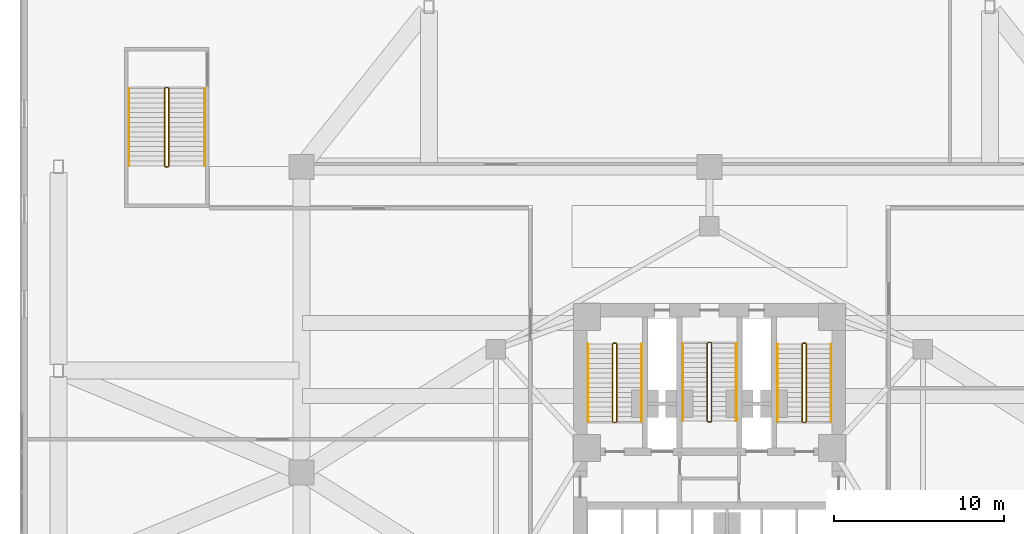
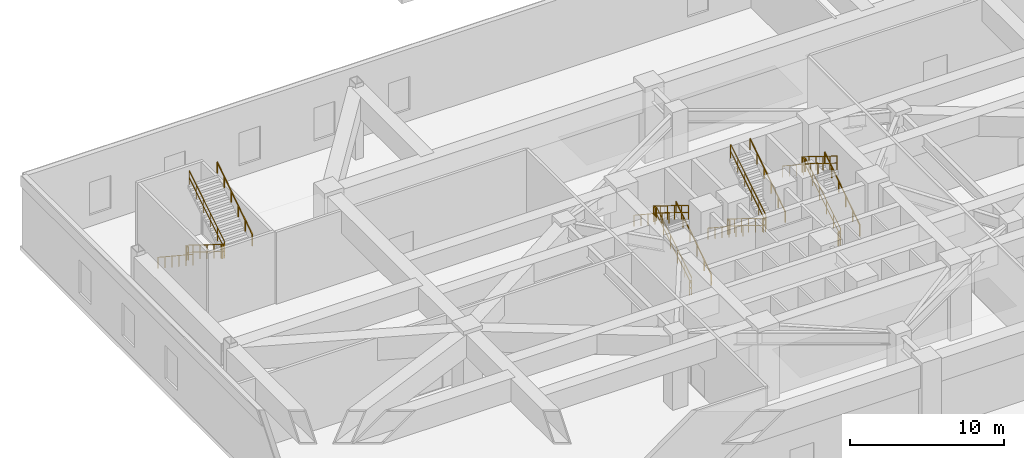
# One storey, part 20 of 24: 24 railings.
"""IFC4 building model written with IfcOpenShell, lengths in metres."""

from ifc_helpers import new_model, si_unit, direction, frame, origin, origin_2d, place, context, subcontext, project, spatial, rectangle, extrude, material, type_object, element, save


model = new_model("IFC4")

# Units and contexts
model_context = context("Model", 3, precision=1e-05, world=origin(), true_north=direction((0.0, 1.0)))
body_context = subcontext(model_context, "Body", "Model", "MODEL_VIEW")
ifc_project = project(units=[si_unit("LENGTHUNIT", "METRE"), si_unit("AREAUNIT", "SQUARE_METRE"), si_unit("VOLUMEUNIT", "CUBIC_METRE"), si_unit("PLANEANGLEUNIT", "RADIAN"), si_unit("MASSUNIT", "GRAM", prefix="KILO")], contexts=[model_context])

# Site, building, storey
site_placement = place(None, origin())
site = spatial("IfcSite", under=ifc_project, at=site_placement, CompositionType="ELEMENT")
building_placement = place(site_placement, origin())
building = spatial("IfcBuilding", under=site, at=building_placement, Name="Apsidion Concourse Tower", CompositionType="ELEMENT")
storey_placement = place(building_placement, frame((0.0, 0.0, 17.5)))
storey = spatial("IfcBuildingStorey", under=building, at=storey_placement, Name="L03", CompositionType="ELEMENT", Elevation=17.5)

# Railings
ifc_material = material(Name="Brushed stainless steel 316", Category="steel")
railing_type_1 = type_object("IfcRailingType", Name="RL-GUARD-1100", PredefinedType="GUARDRAIL", material=ifc_material)
railing_1_placement = place(storey_placement, frame((-5.449951171875, 3.0, 0.176513671875)))
element("IfcRailing", 1, at=railing_1_placement, inside=storey, type_object=railing_type_1, Name="L03 ST1 stair guard 1", PredefinedType="GUARDRAIL", context=body_context, shape_type="SweptSolid", body=[
    extrude(rectangle(XDim=0.048095703125, YDim=0.048095703125, at=origin_2d()), frame((0.0, 0.0, 1.09619140625), z_axis=(0.0, 0.850215668316, 0.526434532824), x_axis=(-1.0, 0.0, 0.0)), (0.0, 0.0, 1.0), 5.363525390625),
    extrude(rectangle(XDim=0.048095703125, YDim=0.048095703125, at=origin_2d()), frame((0.0, 0.0, 0.5361328125), z_axis=(0.0, 0.850215668316, 0.526434532824), x_axis=(-1.0, 0.0, 0.0)), (0.0, 0.0, 1.0), 5.363525390625),
    extrude(rectangle(XDim=0.0419921875, YDim=0.0419921875, at=origin_2d()), origin(), (0.0, 0.0, 1.0), 1.072021484375),
    extrude(rectangle(XDim=0.0419921875, YDim=0.0419921875, at=origin_2d()), frame((0.0, 0.912109375, 0.564697265625)), (0.0, 0.0, 1.0), 1.072021484375),
    extrude(rectangle(XDim=0.0419921875, YDim=0.0419921875, at=origin_2d()), frame((0.0, 1.823974609375, 1.12939453125)), (0.0, 0.0, 1.0), 1.072021484375),
    extrude(rectangle(XDim=0.0419921875, YDim=0.0419921875, at=origin_2d()), frame((0.0, 2.736083984375, 1.694091796875)), (0.0, 0.0, 1.0), 1.072021484375),
    extrude(rectangle(XDim=0.0419921875, YDim=0.0419921875, at=origin_2d()), frame((0.0, 3.64794921875, 2.2587890625)), (0.0, 0.0, 1.0), 1.072021484375),
    extrude(rectangle(XDim=0.0419921875, YDim=0.0419921875, at=origin_2d()), frame((0.0, 4.56005859375, 2.823486328125)), (0.0, 0.0, 1.0), 1.072021484375),
])
railing_2_placement = place(storey_placement, frame((-5.5, 7.610107421875, 3.0)))
element("IfcRailing", 2, at=railing_2_placement, inside=storey, type_object=railing_type_1, Name="L03 ST1 stair guard 2", PredefinedType="GUARDRAIL", context=body_context, shape_type="SweptSolid", body=[
    extrude(rectangle(XDim=0.048095703125, YDim=0.048095703125, at=origin_2d()), frame((0.0, 0.0, 1.09619140625), z_axis=(-1.0, 0.0, 0.0), x_axis=(0.0, -1.0, 0.0)), (0.0, 0.0, 1.0), 0.14990234375),
    extrude(rectangle(XDim=0.048095703125, YDim=0.048095703125, at=origin_2d()), frame((0.0, 0.0, 0.5361328125), z_axis=(-1.0, 0.0, 0.0), x_axis=(0.0, -1.0, 0.0)), (0.0, 0.0, 1.0), 0.14990234375),
    extrude(rectangle(XDim=0.0419921875, YDim=0.0419921875, at=origin_2d()), origin(), (0.0, 0.0, 1.0), 1.072021484375),
    extrude(rectangle(XDim=0.0419921875, YDim=0.0419921875, at=origin_2d()), frame((-0.14990234375, 0.0, 0.0)), (0.0, 0.0, 1.0), 1.072021484375),
])
railing_3_placement = place(storey_placement, frame((-5.699951171875, 7.56005859375, 3.176513671875)))
element("IfcRailing", 3, at=railing_3_placement, inside=storey, type_object=railing_type_1, Name="L03 ST1 stair guard 3", PredefinedType="GUARDRAIL", context=body_context, shape_type="SweptSolid", body=[
    extrude(rectangle(XDim=0.048095703125, YDim=0.048095703125, at=origin_2d()), frame((0.0, 0.0, 1.09619140625), z_axis=(0.0, -0.850215668316, 0.526434532824), x_axis=(1.0, 0.0, 0.0)), (0.0, 0.0, 1.0), 5.363525390625),
    extrude(rectangle(XDim=0.048095703125, YDim=0.048095703125, at=origin_2d()), frame((0.0, 0.0, 0.5361328125), z_axis=(0.0, -0.850215668316, 0.526434532824), x_axis=(1.0, 0.0, 0.0)), (0.0, 0.0, 1.0), 5.363525390625),
    extrude(rectangle(XDim=0.0419921875, YDim=0.0419921875, at=origin_2d()), origin(), (0.0, 0.0, 1.0), 1.072021484375),
    extrude(rectangle(XDim=0.0419921875, YDim=0.0419921875, at=origin_2d()), frame((0.0, -0.912109375, 0.564697265625)), (0.0, 0.0, 1.0), 1.072021484375),
    extrude(rectangle(XDim=0.0419921875, YDim=0.0419921875, at=origin_2d()), frame((0.0, -1.823974609375, 1.12939453125)), (0.0, 0.0, 1.0), 1.072021484375),
    extrude(rectangle(XDim=0.0419921875, YDim=0.0419921875, at=origin_2d()), frame((0.0, -2.736083984375, 1.694091796875)), (0.0, 0.0, 1.0), 1.072021484375),
    extrude(rectangle(XDim=0.0419921875, YDim=0.0419921875, at=origin_2d()), frame((0.0, -3.64794921875, 2.2587890625)), (0.0, 0.0, 1.0), 1.072021484375),
    extrude(rectangle(XDim=0.0419921875, YDim=0.0419921875, at=origin_2d()), frame((0.0, -4.56005859375, 2.823486328125)), (0.0, 0.0, 1.0), 1.072021484375),
])
railing_4_placement = place(storey_placement, frame((-5.5, 2.949951171875, 0.0)))
element("IfcRailing", 4, at=railing_4_placement, inside=storey, type_object=railing_type_1, Name="L03 ST1 stair guard 4", PredefinedType="GUARDRAIL", context=body_context, shape_type="SweptSolid", body=[
    extrude(rectangle(XDim=0.048095703125, YDim=0.048095703125, at=origin_2d()), frame((0.0, 0.0, 1.09619140625), z_axis=(-1.0, 0.0, 0.0), x_axis=(0.0, -1.0, 0.0)), (0.0, 0.0, 1.0), 0.14990234375),
    extrude(rectangle(XDim=0.048095703125, YDim=0.048095703125, at=origin_2d()), frame((0.0, 0.0, 0.5361328125), z_axis=(-1.0, 0.0, 0.0), x_axis=(0.0, -1.0, 0.0)), (0.0, 0.0, 1.0), 0.14990234375),
    extrude(rectangle(XDim=0.0419921875, YDim=0.0419921875, at=origin_2d()), origin(), (0.0, 0.0, 1.0), 1.072021484375),
    extrude(rectangle(XDim=0.0419921875, YDim=0.0419921875, at=origin_2d()), frame((-0.14990234375, 0.0, 0.0)), (0.0, 0.0, 1.0), 1.072021484375),
])
railing_5_placement = place(storey_placement, frame((5.699951171875, 3.0, 0.176513671875)))
element("IfcRailing", 5, at=railing_5_placement, inside=storey, type_object=railing_type_1, Name="L03 ST2 stair guard 1", PredefinedType="GUARDRAIL", context=body_context, shape_type="SweptSolid", body=[
    extrude(rectangle(XDim=0.048095703125, YDim=0.048095703125, at=origin_2d()), frame((0.0, 0.0, 1.09619140625), z_axis=(0.0, 0.850215668316, 0.526434532824), x_axis=(-1.0, 0.0, 0.0)), (0.0, 0.0, 1.0), 5.363525390625),
    extrude(rectangle(XDim=0.048095703125, YDim=0.048095703125, at=origin_2d()), frame((0.0, 0.0, 0.5361328125), z_axis=(0.0, 0.850215668316, 0.526434532824), x_axis=(-1.0, 0.0, 0.0)), (0.0, 0.0, 1.0), 5.363525390625),
    extrude(rectangle(XDim=0.0419921875, YDim=0.0419921875, at=origin_2d()), origin(), (0.0, 0.0, 1.0), 1.072021484375),
    extrude(rectangle(XDim=0.0419921875, YDim=0.0419921875, at=origin_2d()), frame((0.0, 0.912109375, 0.564697265625)), (0.0, 0.0, 1.0), 1.072021484375),
    extrude(rectangle(XDim=0.0419921875, YDim=0.0419921875, at=origin_2d()), frame((0.0, 1.823974609375, 1.12939453125)), (0.0, 0.0, 1.0), 1.072021484375),
    extrude(rectangle(XDim=0.0419921875, YDim=0.0419921875, at=origin_2d()), frame((0.0, 2.736083984375, 1.694091796875)), (0.0, 0.0, 1.0), 1.072021484375),
    extrude(rectangle(XDim=0.0419921875, YDim=0.0419921875, at=origin_2d()), frame((0.0, 3.64794921875, 2.2587890625)), (0.0, 0.0, 1.0), 1.072021484375),
    extrude(rectangle(XDim=0.0419921875, YDim=0.0419921875, at=origin_2d()), frame((0.0, 4.56005859375, 2.823486328125)), (0.0, 0.0, 1.0), 1.072021484375),
])
railing_6_placement = place(storey_placement, frame((5.64990234375, 7.610107421875, 3.0)))
element("IfcRailing", 6, at=railing_6_placement, inside=storey, type_object=railing_type_1, Name="L03 ST2 stair guard 2", PredefinedType="GUARDRAIL", context=body_context, shape_type="SweptSolid", body=[
    extrude(rectangle(XDim=0.048095703125, YDim=0.048095703125, at=origin_2d()), frame((0.0, 0.0, 1.09619140625), z_axis=(-1.0, 0.0, 0.0), x_axis=(0.0, -1.0, 0.0)), (0.0, 0.0, 1.0), 0.14990234375),
    extrude(rectangle(XDim=0.048095703125, YDim=0.048095703125, at=origin_2d()), frame((0.0, 0.0, 0.5361328125), z_axis=(-1.0, 0.0, 0.0), x_axis=(0.0, -1.0, 0.0)), (0.0, 0.0, 1.0), 0.14990234375),
    extrude(rectangle(XDim=0.0419921875, YDim=0.0419921875, at=origin_2d()), origin(), (0.0, 0.0, 1.0), 1.072021484375),
    extrude(rectangle(XDim=0.0419921875, YDim=0.0419921875, at=origin_2d()), frame((-0.14990234375, 0.0, 0.0)), (0.0, 0.0, 1.0), 1.072021484375),
])
railing_7_placement = place(storey_placement, frame((5.449951171875, 7.56005859375, 3.176513671875)))
element("IfcRailing", 7, at=railing_7_placement, inside=storey, type_object=railing_type_1, Name="L03 ST2 stair guard 3", PredefinedType="GUARDRAIL", context=body_context, shape_type="SweptSolid", body=[
    extrude(rectangle(XDim=0.048095703125, YDim=0.048095703125, at=origin_2d()), frame((0.0, 0.0, 1.09619140625), z_axis=(0.0, -0.850215668316, 0.526434532824), x_axis=(1.0, 0.0, 0.0)), (0.0, 0.0, 1.0), 5.363525390625),
    extrude(rectangle(XDim=0.048095703125, YDim=0.048095703125, at=origin_2d()), frame((0.0, 0.0, 0.5361328125), z_axis=(0.0, -0.850215668316, 0.526434532824), x_axis=(1.0, 0.0, 0.0)), (0.0, 0.0, 1.0), 5.363525390625),
    extrude(rectangle(XDim=0.0419921875, YDim=0.0419921875, at=origin_2d()), origin(), (0.0, 0.0, 1.0), 1.072021484375),
    extrude(rectangle(XDim=0.0419921875, YDim=0.0419921875, at=origin_2d()), frame((0.0, -0.912109375, 0.564697265625)), (0.0, 0.0, 1.0), 1.072021484375),
    extrude(rectangle(XDim=0.0419921875, YDim=0.0419921875, at=origin_2d()), frame((0.0, -1.823974609375, 1.12939453125)), (0.0, 0.0, 1.0), 1.072021484375),
    extrude(rectangle(XDim=0.0419921875, YDim=0.0419921875, at=origin_2d()), frame((0.0, -2.736083984375, 1.694091796875)), (0.0, 0.0, 1.0), 1.072021484375),
    extrude(rectangle(XDim=0.0419921875, YDim=0.0419921875, at=origin_2d()), frame((0.0, -3.64794921875, 2.2587890625)), (0.0, 0.0, 1.0), 1.072021484375),
    extrude(rectangle(XDim=0.0419921875, YDim=0.0419921875, at=origin_2d()), frame((0.0, -4.56005859375, 2.823486328125)), (0.0, 0.0, 1.0), 1.072021484375),
])
railing_8_placement = place(storey_placement, frame((5.64990234375, 2.949951171875, 0.0)))
element("IfcRailing", 8, at=railing_8_placement, inside=storey, type_object=railing_type_1, Name="L03 ST2 stair guard 4", PredefinedType="GUARDRAIL", context=body_context, shape_type="SweptSolid", body=[
    extrude(rectangle(XDim=0.048095703125, YDim=0.048095703125, at=origin_2d()), frame((0.0, 0.0, 1.09619140625), z_axis=(-1.0, 0.0, 0.0), x_axis=(0.0, -1.0, 0.0)), (0.0, 0.0, 1.0), 0.14990234375),
    extrude(rectangle(XDim=0.048095703125, YDim=0.048095703125, at=origin_2d()), frame((0.0, 0.0, 0.5361328125), z_axis=(-1.0, 0.0, 0.0), x_axis=(0.0, -1.0, 0.0)), (0.0, 0.0, 1.0), 0.14990234375),
    extrude(rectangle(XDim=0.0419921875, YDim=0.0419921875, at=origin_2d()), origin(), (0.0, 0.0, 1.0), 1.072021484375),
    extrude(rectangle(XDim=0.0419921875, YDim=0.0419921875, at=origin_2d()), frame((-0.14990234375, 0.0, 0.0)), (0.0, 0.0, 1.0), 1.072021484375),
])
railing_9_placement = place(storey_placement, frame((-0.125, 7.60009765625, 0.176513671875)))
element("IfcRailing", 9, at=railing_9_placement, inside=storey, type_object=railing_type_1, Name="L03 ST3 stair guard 1", PredefinedType="GUARDRAIL", context=body_context, shape_type="SweptSolid", body=[
    extrude(rectangle(XDim=0.048095703125, YDim=0.048095703125, at=origin_2d()), frame((0.0, 0.0, 1.09619140625), z_axis=(0.0, -0.850215668316, 0.526434532824), x_axis=(1.0, 0.0, 0.0)), (0.0, 0.0, 1.0), 5.363525390625),
    extrude(rectangle(XDim=0.048095703125, YDim=0.048095703125, at=origin_2d()), frame((0.0, 0.0, 0.5361328125), z_axis=(0.0, -0.850215668316, 0.526434532824), x_axis=(1.0, 0.0, 0.0)), (0.0, 0.0, 1.0), 5.363525390625),
    extrude(rectangle(XDim=0.0419921875, YDim=0.0419921875, at=origin_2d()), origin(), (0.0, 0.0, 1.0), 1.072021484375),
    extrude(rectangle(XDim=0.0419921875, YDim=0.0419921875, at=origin_2d()), frame((0.0, -0.912109375, 0.564697265625)), (0.0, 0.0, 1.0), 1.072021484375),
    extrude(rectangle(XDim=0.0419921875, YDim=0.0419921875, at=origin_2d()), frame((0.0, -1.823974609375, 1.12939453125)), (0.0, 0.0, 1.0), 1.072021484375),
    extrude(rectangle(XDim=0.0419921875, YDim=0.0419921875, at=origin_2d()), frame((0.0, -2.736083984375, 1.694091796875)), (0.0, 0.0, 1.0), 1.072021484375),
    extrude(rectangle(XDim=0.0419921875, YDim=0.0419921875, at=origin_2d()), frame((0.0, -3.64794921875, 2.2587890625)), (0.0, 0.0, 1.0), 1.072021484375),
    extrude(rectangle(XDim=0.0419921875, YDim=0.0419921875, at=origin_2d()), frame((0.0, -4.56005859375, 2.823486328125)), (0.0, 0.0, 1.0), 1.072021484375),
])
railing_10_placement = place(storey_placement, frame((-0.074951171875, 2.989990234375, 3.0)))
element("IfcRailing", 10, at=railing_10_placement, inside=storey, type_object=railing_type_1, Name="L03 ST3 stair guard 2", PredefinedType="GUARDRAIL", context=body_context, shape_type="SweptSolid", body=[
    extrude(rectangle(XDim=0.048095703125, YDim=0.048095703125, at=origin_2d()), frame((0.0, 0.0, 1.09619140625), z_axis=(1.0, 0.0, 0.0), x_axis=(0.0, 1.0, 0.0)), (0.0, 0.0, 1.0), 0.14990234375),
    extrude(rectangle(XDim=0.048095703125, YDim=0.048095703125, at=origin_2d()), frame((0.0, 0.0, 0.5361328125), z_axis=(1.0, 0.0, 0.0), x_axis=(0.0, 1.0, 0.0)), (0.0, 0.0, 1.0), 0.14990234375),
    extrude(rectangle(XDim=0.0419921875, YDim=0.0419921875, at=origin_2d()), origin(), (0.0, 0.0, 1.0), 1.072021484375),
    extrude(rectangle(XDim=0.0419921875, YDim=0.0419921875, at=origin_2d()), frame((0.14990234375, 0.0, 0.0)), (0.0, 0.0, 1.0), 1.072021484375),
])
railing_11_placement = place(storey_placement, frame((0.125, 3.0400390625, 3.176513671875)))
element("IfcRailing", 11, at=railing_11_placement, inside=storey, type_object=railing_type_1, Name="L03 ST3 stair guard 3", PredefinedType="GUARDRAIL", context=body_context, shape_type="SweptSolid", body=[
    extrude(rectangle(XDim=0.048095703125, YDim=0.048095703125, at=origin_2d()), frame((0.0, 0.0, 1.09619140625), z_axis=(0.0, 0.850215668316, 0.526434532824), x_axis=(-1.0, 0.0, 0.0)), (0.0, 0.0, 1.0), 5.363525390625),
    extrude(rectangle(XDim=0.048095703125, YDim=0.048095703125, at=origin_2d()), frame((0.0, 0.0, 0.5361328125), z_axis=(0.0, 0.850215668316, 0.526434532824), x_axis=(-1.0, 0.0, 0.0)), (0.0, 0.0, 1.0), 5.363525390625),
    extrude(rectangle(XDim=0.0419921875, YDim=0.0419921875, at=origin_2d()), origin(), (0.0, 0.0, 1.0), 1.072021484375),
    extrude(rectangle(XDim=0.0419921875, YDim=0.0419921875, at=origin_2d()), frame((0.0, 0.912109375, 0.564697265625)), (0.0, 0.0, 1.0), 1.072021484375),
    extrude(rectangle(XDim=0.0419921875, YDim=0.0419921875, at=origin_2d()), frame((0.0, 1.823974609375, 1.12939453125)), (0.0, 0.0, 1.0), 1.072021484375),
    extrude(rectangle(XDim=0.0419921875, YDim=0.0419921875, at=origin_2d()), frame((0.0, 2.736083984375, 1.694091796875)), (0.0, 0.0, 1.0), 1.072021484375),
    extrude(rectangle(XDim=0.0419921875, YDim=0.0419921875, at=origin_2d()), frame((0.0, 3.64794921875, 2.2587890625)), (0.0, 0.0, 1.0), 1.072021484375),
    extrude(rectangle(XDim=0.0419921875, YDim=0.0419921875, at=origin_2d()), frame((0.0, 4.56005859375, 2.823486328125)), (0.0, 0.0, 1.0), 1.072021484375),
])
railing_12_placement = place(storey_placement, frame((-0.074951171875, 7.64990234375, 0.0)))
element("IfcRailing", 12, at=railing_12_placement, inside=storey, type_object=railing_type_1, Name="L03 ST3 stair guard 4", PredefinedType="GUARDRAIL", context=body_context, shape_type="SweptSolid", body=[
    extrude(rectangle(XDim=0.048095703125, YDim=0.048095703125, at=origin_2d()), frame((0.0, 0.0, 1.09619140625), z_axis=(1.0, 0.0, 0.0), x_axis=(0.0, 1.0, 0.0)), (0.0, 0.0, 1.0), 0.14990234375),
    extrude(rectangle(XDim=0.048095703125, YDim=0.048095703125, at=origin_2d()), frame((0.0, 0.0, 0.5361328125), z_axis=(1.0, 0.0, 0.0), x_axis=(0.0, 1.0, 0.0)), (0.0, 0.0, 1.0), 0.14990234375),
    extrude(rectangle(XDim=0.0419921875, YDim=0.0419921875, at=origin_2d()), origin(), (0.0, 0.0, 1.0), 1.072021484375),
    extrude(rectangle(XDim=0.0419921875, YDim=0.0419921875, at=origin_2d()), frame((0.14990234375, 0.0, 0.0)), (0.0, 0.0, 1.0), 1.072021484375),
])
railing_13_placement = place(storey_placement, frame((-32.050048828125, 22.60009765625, 0.176513671875)))
element("IfcRailing", 13, at=railing_13_placement, inside=storey, type_object=railing_type_1, Name="L03 ST-P3 stair guard 1", PredefinedType="GUARDRAIL", context=body_context, shape_type="SweptSolid", body=[
    extrude(rectangle(XDim=0.048095703125, YDim=0.048095703125, at=origin_2d()), frame((0.0, 0.0, 1.09619140625), z_axis=(0.0, -0.850215668316, 0.526434532824), x_axis=(1.0, 0.0, 0.0)), (0.0, 0.0, 1.0), 5.363525390625),
    extrude(rectangle(XDim=0.048095703125, YDim=0.048095703125, at=origin_2d()), frame((0.0, 0.0, 0.5361328125), z_axis=(0.0, -0.850215668316, 0.526434532824), x_axis=(1.0, 0.0, 0.0)), (0.0, 0.0, 1.0), 5.363525390625),
    extrude(rectangle(XDim=0.0419921875, YDim=0.0419921875, at=origin_2d()), origin(), (0.0, 0.0, 1.0), 1.072021484375),
    extrude(rectangle(XDim=0.0419921875, YDim=0.0419921875, at=origin_2d()), frame((0.0, -0.912109375, 0.564697265625)), (0.0, 0.0, 1.0), 1.072021484375),
    extrude(rectangle(XDim=0.0419921875, YDim=0.0419921875, at=origin_2d()), frame((0.0, -1.823974609375, 1.12939453125)), (0.0, 0.0, 1.0), 1.072021484375),
    extrude(rectangle(XDim=0.0419921875, YDim=0.0419921875, at=origin_2d()), frame((0.0, -2.736083984375, 1.694091796875)), (0.0, 0.0, 1.0), 1.072021484375),
    extrude(rectangle(XDim=0.0419921875, YDim=0.0419921875, at=origin_2d()), frame((0.0, -3.64794921875, 2.2587890625)), (0.0, 0.0, 1.0), 1.072021484375),
    extrude(rectangle(XDim=0.0419921875, YDim=0.0419921875, at=origin_2d()), frame((0.0, -4.56005859375, 2.823486328125)), (0.0, 0.0, 1.0), 1.072021484375),
])
railing_14_placement = place(storey_placement, frame((-32.0, 17.989990234375, 3.0)))
element("IfcRailing", 14, at=railing_14_placement, inside=storey, type_object=railing_type_1, Name="L03 ST-P3 stair guard 2", PredefinedType="GUARDRAIL", context=body_context, shape_type="SweptSolid", body=[
    extrude(rectangle(XDim=0.048095703125, YDim=0.048095703125, at=origin_2d()), frame((0.0, 0.0, 1.09619140625), z_axis=(1.0, 0.0, 0.0), x_axis=(0.0, 1.0, 0.0)), (0.0, 0.0, 1.0), 0.14990234375),
    extrude(rectangle(XDim=0.048095703125, YDim=0.048095703125, at=origin_2d()), frame((0.0, 0.0, 0.5361328125), z_axis=(1.0, 0.0, 0.0), x_axis=(0.0, 1.0, 0.0)), (0.0, 0.0, 1.0), 0.14990234375),
    extrude(rectangle(XDim=0.0419921875, YDim=0.0419921875, at=origin_2d()), origin(), (0.0, 0.0, 1.0), 1.072021484375),
    extrude(rectangle(XDim=0.0419921875, YDim=0.0419921875, at=origin_2d()), frame((0.14990234375, 0.0, 0.0)), (0.0, 0.0, 1.0), 1.072021484375),
])
railing_15_placement = place(storey_placement, frame((-31.800048828125, 18.0400390625, 3.176513671875)))
element("IfcRailing", 15, at=railing_15_placement, inside=storey, type_object=railing_type_1, Name="L03 ST-P3 stair guard 3", PredefinedType="GUARDRAIL", context=body_context, shape_type="SweptSolid", body=[
    extrude(rectangle(XDim=0.048095703125, YDim=0.048095703125, at=origin_2d()), frame((0.0, 0.0, 1.09619140625), z_axis=(0.0, 0.850215668316, 0.526434532824), x_axis=(-1.0, 0.0, 0.0)), (0.0, 0.0, 1.0), 5.363525390625),
    extrude(rectangle(XDim=0.048095703125, YDim=0.048095703125, at=origin_2d()), frame((0.0, 0.0, 0.5361328125), z_axis=(0.0, 0.850215668316, 0.526434532824), x_axis=(-1.0, 0.0, 0.0)), (0.0, 0.0, 1.0), 5.363525390625),
    extrude(rectangle(XDim=0.0419921875, YDim=0.0419921875, at=origin_2d()), origin(), (0.0, 0.0, 1.0), 1.072021484375),
    extrude(rectangle(XDim=0.0419921875, YDim=0.0419921875, at=origin_2d()), frame((0.0, 0.912109375, 0.564697265625)), (0.0, 0.0, 1.0), 1.072021484375),
    extrude(rectangle(XDim=0.0419921875, YDim=0.0419921875, at=origin_2d()), frame((0.0, 1.823974609375, 1.12939453125)), (0.0, 0.0, 1.0), 1.072021484375),
    extrude(rectangle(XDim=0.0419921875, YDim=0.0419921875, at=origin_2d()), frame((0.0, 2.736083984375, 1.694091796875)), (0.0, 0.0, 1.0), 1.072021484375),
    extrude(rectangle(XDim=0.0419921875, YDim=0.0419921875, at=origin_2d()), frame((0.0, 3.64794921875, 2.2587890625)), (0.0, 0.0, 1.0), 1.072021484375),
    extrude(rectangle(XDim=0.0419921875, YDim=0.0419921875, at=origin_2d()), frame((0.0, 4.56005859375, 2.823486328125)), (0.0, 0.0, 1.0), 1.072021484375),
])
railing_16_placement = place(storey_placement, frame((-32.0, 22.64990234375, 0.0)))
element("IfcRailing", 16, at=railing_16_placement, inside=storey, type_object=railing_type_1, Name="L03 ST-P3 stair guard 4", PredefinedType="GUARDRAIL", context=body_context, shape_type="SweptSolid", body=[
    extrude(rectangle(XDim=0.048095703125, YDim=0.048095703125, at=origin_2d()), frame((0.0, 0.0, 1.09619140625), z_axis=(1.0, 0.0, 0.0), x_axis=(0.0, 1.0, 0.0)), (0.0, 0.0, 1.0), 0.14990234375),
    extrude(rectangle(XDim=0.048095703125, YDim=0.048095703125, at=origin_2d()), frame((0.0, 0.0, 0.5361328125), z_axis=(1.0, 0.0, 0.0), x_axis=(0.0, 1.0, 0.0)), (0.0, 0.0, 1.0), 0.14990234375),
    extrude(rectangle(XDim=0.0419921875, YDim=0.0419921875, at=origin_2d()), origin(), (0.0, 0.0, 1.0), 1.072021484375),
    extrude(rectangle(XDim=0.0419921875, YDim=0.0419921875, at=origin_2d()), frame((0.14990234375, 0.0, 0.0)), (0.0, 0.0, 1.0), 1.072021484375),
])
railing_type_2 = type_object("IfcRailingType", Name="RL-HAND-900", PredefinedType="HANDRAIL", material=ifc_material)
railing_17_placement = place(storey_placement, frame((-4.0, 3.0, 0.176513671875)))
element("IfcRailing", 17, at=railing_17_placement, inside=storey, type_object=railing_type_2, Name="L03 ST1 stair handrail 1", PredefinedType="HANDRAIL", context=body_context, shape_type="SweptSolid", body=[
    extrude(rectangle(XDim=0.048095703125, YDim=0.048095703125, at=origin_2d()), frame((0.0, 0.0, 0.8759765625), z_axis=(0.0, 0.835420324919, 0.549611572578), x_axis=(-1.0, 0.0, 0.0)), (0.0, 0.0, 1.0), 5.45849609375),
    extrude(rectangle(XDim=0.0419921875, YDim=0.0419921875, at=origin_2d()), origin(), (0.0, 0.0, 1.0), 0.851806640625),
    extrude(rectangle(XDim=0.0419921875, YDim=0.0419921875, at=origin_2d()), frame((0.0, 0.912109375, 0.60009765625)), (0.0, 0.0, 1.0), 0.851806640625),
    extrude(rectangle(XDim=0.0419921875, YDim=0.0419921875, at=origin_2d()), frame((0.0, 1.823974609375, 1.199951171875)), (0.0, 0.0, 1.0), 0.851806640625),
    extrude(rectangle(XDim=0.0419921875, YDim=0.0419921875, at=origin_2d()), frame((0.0, 2.736083984375, 1.800048828125)), (0.0, 0.0, 1.0), 0.851806640625),
    extrude(rectangle(XDim=0.0419921875, YDim=0.0419921875, at=origin_2d()), frame((0.0, 3.64794921875, 2.39990234375)), (0.0, 0.0, 1.0), 0.851806640625),
    extrude(rectangle(XDim=0.0419921875, YDim=0.0419921875, at=origin_2d()), frame((0.0, 4.56005859375, 3.0)), (0.0, 0.0, 1.0), 0.851806640625),
])
railing_18_placement = place(storey_placement, frame((-7.14990234375, 7.56005859375, 3.176513671875)))
element("IfcRailing", 18, at=railing_18_placement, inside=storey, type_object=railing_type_2, Name="L03 ST1 stair handrail 2", PredefinedType="HANDRAIL", context=body_context, shape_type="SweptSolid", body=[
    extrude(rectangle(XDim=0.048095703125, YDim=0.048095703125, at=origin_2d()), frame((0.0, 0.0, 0.8759765625), z_axis=(0.0, -0.835420324919, 0.549611572578), x_axis=(1.0, 0.0, 0.0)), (0.0, 0.0, 1.0), 5.45849609375),
    extrude(rectangle(XDim=0.0419921875, YDim=0.0419921875, at=origin_2d()), origin(), (0.0, 0.0, 1.0), 0.851806640625),
    extrude(rectangle(XDim=0.0419921875, YDim=0.0419921875, at=origin_2d()), frame((0.0, -0.912109375, 0.60009765625)), (0.0, 0.0, 1.0), 0.851806640625),
    extrude(rectangle(XDim=0.0419921875, YDim=0.0419921875, at=origin_2d()), frame((0.0, -1.823974609375, 1.199951171875)), (0.0, 0.0, 1.0), 0.851806640625),
    extrude(rectangle(XDim=0.0419921875, YDim=0.0419921875, at=origin_2d()), frame((0.0, -2.736083984375, 1.800048828125)), (0.0, 0.0, 1.0), 0.851806640625),
    extrude(rectangle(XDim=0.0419921875, YDim=0.0419921875, at=origin_2d()), frame((0.0, -3.64794921875, 2.39990234375)), (0.0, 0.0, 1.0), 0.851806640625),
    extrude(rectangle(XDim=0.0419921875, YDim=0.0419921875, at=origin_2d()), frame((0.0, -4.56005859375, 3.0)), (0.0, 0.0, 1.0), 0.851806640625),
])
railing_19_placement = place(storey_placement, frame((7.14990234375, 3.0, 0.176513671875)))
element("IfcRailing", 19, at=railing_19_placement, inside=storey, type_object=railing_type_2, Name="L03 ST2 stair handrail 1", PredefinedType="HANDRAIL", context=body_context, shape_type="SweptSolid", body=[
    extrude(rectangle(XDim=0.048095703125, YDim=0.048095703125, at=origin_2d()), frame((0.0, 0.0, 0.8759765625), z_axis=(0.0, 0.835420324919, 0.549611572578), x_axis=(-1.0, 0.0, 0.0)), (0.0, 0.0, 1.0), 5.45849609375),
    extrude(rectangle(XDim=0.0419921875, YDim=0.0419921875, at=origin_2d()), origin(), (0.0, 0.0, 1.0), 0.851806640625),
    extrude(rectangle(XDim=0.0419921875, YDim=0.0419921875, at=origin_2d()), frame((0.0, 0.912109375, 0.60009765625)), (0.0, 0.0, 1.0), 0.851806640625),
    extrude(rectangle(XDim=0.0419921875, YDim=0.0419921875, at=origin_2d()), frame((0.0, 1.823974609375, 1.199951171875)), (0.0, 0.0, 1.0), 0.851806640625),
    extrude(rectangle(XDim=0.0419921875, YDim=0.0419921875, at=origin_2d()), frame((0.0, 2.736083984375, 1.800048828125)), (0.0, 0.0, 1.0), 0.851806640625),
    extrude(rectangle(XDim=0.0419921875, YDim=0.0419921875, at=origin_2d()), frame((0.0, 3.64794921875, 2.39990234375)), (0.0, 0.0, 1.0), 0.851806640625),
    extrude(rectangle(XDim=0.0419921875, YDim=0.0419921875, at=origin_2d()), frame((0.0, 4.56005859375, 3.0)), (0.0, 0.0, 1.0), 0.851806640625),
])
for number, where, name in (
    (20, (4.0, 7.56005859375, 3.176513671875), "L03 ST2 stair handrail 2"),
    (21, (-1.574951171875, 7.60009765625, 0.176513671875), "L03 ST3 stair handrail 1"),
):
    element("IfcRailing", number, at=place(storey_placement, frame(where)), inside=storey, type_object=railing_type_2, Name=name, PredefinedType="HANDRAIL", context=body_context, shape_type="SweptSolid", body=[
        extrude(rectangle(XDim=0.048095703125, YDim=0.048095703125, at=origin_2d()), frame((0.0, 0.0, 0.8759765625), z_axis=(0.0, -0.835420324919, 0.549611572578), x_axis=(1.0, 0.0, 0.0)), (0.0, 0.0, 1.0), 5.45849609375),
        extrude(rectangle(XDim=0.0419921875, YDim=0.0419921875, at=origin_2d()), origin(), (0.0, 0.0, 1.0), 0.851806640625),
        extrude(rectangle(XDim=0.0419921875, YDim=0.0419921875, at=origin_2d()), frame((0.0, -0.912109375, 0.60009765625)), (0.0, 0.0, 1.0), 0.851806640625),
        extrude(rectangle(XDim=0.0419921875, YDim=0.0419921875, at=origin_2d()), frame((0.0, -1.823974609375, 1.199951171875)), (0.0, 0.0, 1.0), 0.851806640625),
        extrude(rectangle(XDim=0.0419921875, YDim=0.0419921875, at=origin_2d()), frame((0.0, -2.736083984375, 1.800048828125)), (0.0, 0.0, 1.0), 0.851806640625),
        extrude(rectangle(XDim=0.0419921875, YDim=0.0419921875, at=origin_2d()), frame((0.0, -3.64794921875, 2.39990234375)), (0.0, 0.0, 1.0), 0.851806640625),
        extrude(rectangle(XDim=0.0419921875, YDim=0.0419921875, at=origin_2d()), frame((0.0, -4.56005859375, 3.0)), (0.0, 0.0, 1.0), 0.851806640625),
    ])
railing_20_placement = place(storey_placement, frame((1.574951171875, 3.0400390625, 3.176513671875)))
element("IfcRailing", 22, at=railing_20_placement, inside=storey, type_object=railing_type_2, Name="L03 ST3 stair handrail 2", PredefinedType="HANDRAIL", context=body_context, shape_type="SweptSolid", body=[
    extrude(rectangle(XDim=0.048095703125, YDim=0.048095703125, at=origin_2d()), frame((0.0, 0.0, 0.8759765625), z_axis=(0.0, 0.835420324919, 0.549611572578), x_axis=(-1.0, 0.0, 0.0)), (0.0, 0.0, 1.0), 5.45849609375),
    extrude(rectangle(XDim=0.0419921875, YDim=0.0419921875, at=origin_2d()), origin(), (0.0, 0.0, 1.0), 0.851806640625),
    extrude(rectangle(XDim=0.0419921875, YDim=0.0419921875, at=origin_2d()), frame((0.0, 0.912109375, 0.60009765625)), (0.0, 0.0, 1.0), 0.851806640625),
    extrude(rectangle(XDim=0.0419921875, YDim=0.0419921875, at=origin_2d()), frame((0.0, 1.823974609375, 1.199951171875)), (0.0, 0.0, 1.0), 0.851806640625),
    extrude(rectangle(XDim=0.0419921875, YDim=0.0419921875, at=origin_2d()), frame((0.0, 2.736083984375, 1.800048828125)), (0.0, 0.0, 1.0), 0.851806640625),
    extrude(rectangle(XDim=0.0419921875, YDim=0.0419921875, at=origin_2d()), frame((0.0, 3.64794921875, 2.39990234375)), (0.0, 0.0, 1.0), 0.851806640625),
    extrude(rectangle(XDim=0.0419921875, YDim=0.0419921875, at=origin_2d()), frame((0.0, 4.56005859375, 3.0)), (0.0, 0.0, 1.0), 0.851806640625),
])
railing_21_placement = place(storey_placement, frame((-34.14990234375, 22.60009765625, 0.176513671875)))
element("IfcRailing", 23, at=railing_21_placement, inside=storey, type_object=railing_type_2, Name="L03 ST-P3 stair handrail 1", PredefinedType="HANDRAIL", context=body_context, shape_type="SweptSolid", body=[
    extrude(rectangle(XDim=0.048095703125, YDim=0.048095703125, at=origin_2d()), frame((0.0, 0.0, 0.8759765625), z_axis=(0.0, -0.835420324919, 0.549611572578), x_axis=(1.0, 0.0, 0.0)), (0.0, 0.0, 1.0), 5.45849609375),
    extrude(rectangle(XDim=0.0419921875, YDim=0.0419921875, at=origin_2d()), origin(), (0.0, 0.0, 1.0), 0.851806640625),
    extrude(rectangle(XDim=0.0419921875, YDim=0.0419921875, at=origin_2d()), frame((0.0, -0.912109375, 0.60009765625)), (0.0, 0.0, 1.0), 0.851806640625),
    extrude(rectangle(XDim=0.0419921875, YDim=0.0419921875, at=origin_2d()), frame((0.0, -1.823974609375, 1.199951171875)), (0.0, 0.0, 1.0), 0.851806640625),
    extrude(rectangle(XDim=0.0419921875, YDim=0.0419921875, at=origin_2d()), frame((0.0, -2.736083984375, 1.800048828125)), (0.0, 0.0, 1.0), 0.851806640625),
    extrude(rectangle(XDim=0.0419921875, YDim=0.0419921875, at=origin_2d()), frame((0.0, -3.64794921875, 2.39990234375)), (0.0, 0.0, 1.0), 0.851806640625),
    extrude(rectangle(XDim=0.0419921875, YDim=0.0419921875, at=origin_2d()), frame((0.0, -4.56005859375, 3.0)), (0.0, 0.0, 1.0), 0.851806640625),
])
railing_22_placement = place(storey_placement, frame((-29.699951171875, 18.0400390625, 3.176513671875)))
element("IfcRailing", 24, at=railing_22_placement, inside=storey, type_object=railing_type_2, Name="L03 ST-P3 stair handrail 2", PredefinedType="HANDRAIL", context=body_context, shape_type="SweptSolid", body=[
    extrude(rectangle(XDim=0.048095703125, YDim=0.048095703125, at=origin_2d()), frame((0.0, 0.0, 0.8759765625), z_axis=(0.0, 0.835420324919, 0.549611572578), x_axis=(-1.0, 0.0, 0.0)), (0.0, 0.0, 1.0), 5.45849609375),
    extrude(rectangle(XDim=0.0419921875, YDim=0.0419921875, at=origin_2d()), origin(), (0.0, 0.0, 1.0), 0.851806640625),
    extrude(rectangle(XDim=0.0419921875, YDim=0.0419921875, at=origin_2d()), frame((0.0, 0.912109375, 0.60009765625)), (0.0, 0.0, 1.0), 0.851806640625),
    extrude(rectangle(XDim=0.0419921875, YDim=0.0419921875, at=origin_2d()), frame((0.0, 1.823974609375, 1.199951171875)), (0.0, 0.0, 1.0), 0.851806640625),
    extrude(rectangle(XDim=0.0419921875, YDim=0.0419921875, at=origin_2d()), frame((0.0, 2.736083984375, 1.800048828125)), (0.0, 0.0, 1.0), 0.851806640625),
    extrude(rectangle(XDim=0.0419921875, YDim=0.0419921875, at=origin_2d()), frame((0.0, 3.64794921875, 2.39990234375)), (0.0, 0.0, 1.0), 0.851806640625),
    extrude(rectangle(XDim=0.0419921875, YDim=0.0419921875, at=origin_2d()), frame((0.0, 4.56005859375, 3.0)), (0.0, 0.0, 1.0), 0.851806640625),
])

save(model, "model.ifc")
